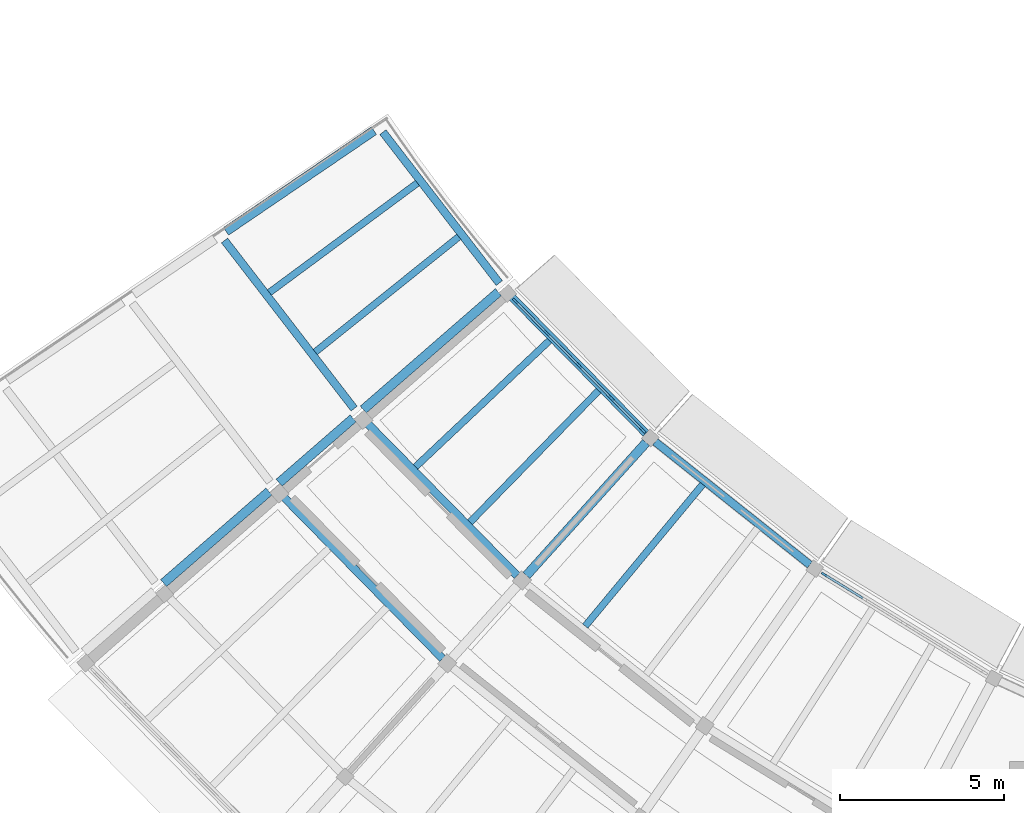
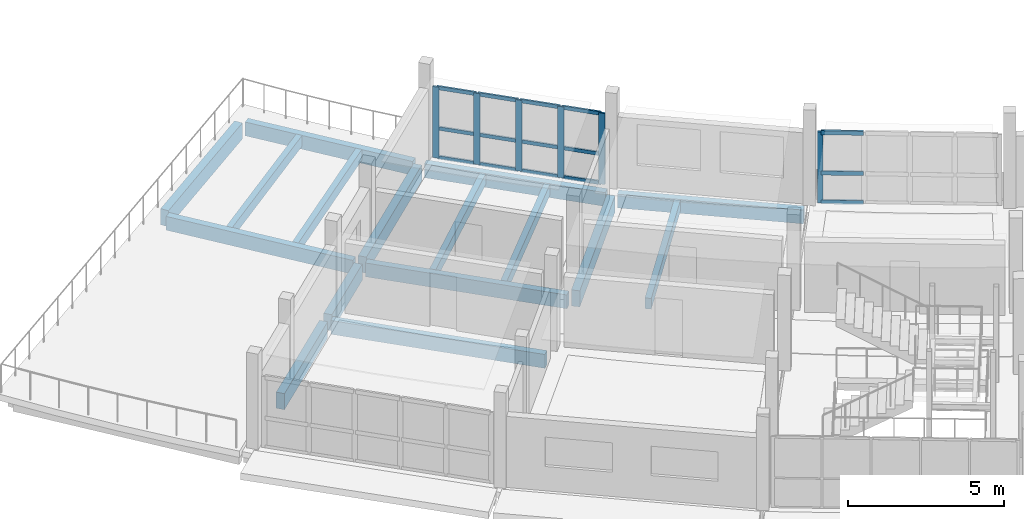
# One storey, part 20 of 66: 21 members, 16 beams, 2 elements without a shape of their own.
"""IFC4 building model written with IfcOpenShell, lengths in metres."""

from ifc_helpers import new_model, si_unit, direction, frame, origin, origin_2d, place, context, subcontext, project, spatial, rectangle, extrude, material, layer, layer_set, material_profile, profile_set, type_object, element, aggregate, save


model = new_model("IFC4")

# Units and contexts
model_context = context("Model", 3, precision=1e-05, world=origin(), true_north=direction((0.0, 1.0)))
body_context = subcontext(model_context, "Body", "Model", "MODEL_VIEW")
ifc_project = project(units=[si_unit("LENGTHUNIT", "METRE"), si_unit("AREAUNIT", "SQUARE_METRE"), si_unit("VOLUMEUNIT", "CUBIC_METRE"), si_unit("PLANEANGLEUNIT", "RADIAN"), si_unit("MASSUNIT", "GRAM", prefix="KILO")], contexts=[model_context])

# Site, building, storey
site_placement = place(None, origin())
site = spatial("IfcSite", under=ifc_project, at=site_placement, CompositionType="ELEMENT")
building_placement = place(site_placement, origin())
building = spatial("IfcBuilding", under=site, at=building_placement, Name="Caldaven Crescent School", CompositionType="ELEMENT")
storey_placement = place(building_placement, frame((0.0, 0.0, 8.159912109375)))
storey = spatial("IfcBuildingStorey", under=building, at=storey_placement, Name="L02", CompositionType="ELEMENT", Elevation=8.159912109375)

# Beams
ifc_material_1 = material(Name="Glulam MLE24h (GL28h)", Category="wood")
ifc_material_profile_1 = material_profile(ifc_material_1, rectangle(XDim=0.239990234375, YDim=0.5400390625, at=origin_2d()), Name="MLE 240x540")
ifc_profile_set_1 = profile_set([ifc_material_profile_1], Name="Glulam MLE24h (GL28h)")
beam_type_1 = type_object("IfcBeamType", Name="BM-GL54", PredefinedType="BEAM", material=ifc_profile_set_1)
beam_1_placement = place(storey_placement, frame((39.92626953125, 63.038818359375, -0.52001953125), z_axis=(0.610376182502, -0.792111681415, 0.0), x_axis=(0.792111681415, 0.610376182502, 0.0)))
element("IfcBeam", 1, at=beam_1_placement, inside=storey, type_object=beam_type_1, Name="BMT-V4W-L02-1160", PredefinedType="BEAM", context=body_context, shape_type="SweptSolid", body=[
    extrude(rectangle(XDim=0.239990234375, YDim=0.5400390625, at=origin_2d()), origin(), (0.0, 0.0, 1.0), 6.4697265625),
])
beam_2_placement = place(storey_placement, frame((44.14404296875, 57.60546875, -0.52001953125), z_axis=(0.700911097932, -0.713248647244, 0.0), x_axis=(0.713248647244, 0.700911097932, 0.0)))
element("IfcBeam", 2, at=beam_2_placement, inside=storey, type_object=beam_type_1, Name="BMT-V4W-L02-1169", PredefinedType="BEAM", context=body_context, shape_type="SweptSolid", body=[
    extrude(rectangle(XDim=0.239990234375, YDim=0.5400390625, at=origin_2d()), origin(), (0.0, 0.0, 1.0), 6.708251953125),
])
beam_3_placement = place(storey_placement, frame((41.578125, 55.375, -0.52001953125), z_axis=(0.700910785666, -0.713248954109, 0.0), x_axis=(0.713248954109, 0.700910785666, 0.0)))
element("IfcBeam", 3, at=beam_3_placement, inside=storey, type_object=beam_type_1, Name="BMT-V4W-L02-1170", PredefinedType="BEAM", context=body_context, shape_type="SweptSolid", body=[
    extrude(rectangle(XDim=0.239990234375, YDim=0.5400390625, at=origin_2d()), origin(), (0.0, 0.0, 1.0), 7.12353515625),
])
ifc_material_profile_2 = material_profile(ifc_material_1, rectangle(XDim=0.280029296875, YDim=0.6298828125, at=origin_2d()), Name="MLE 280x630")
ifc_profile_set_2 = profile_set([ifc_material_profile_2], Name="Glulam MLE24h (GL28h)")
beam_type_2 = type_object("IfcBeamType", Name="BM-GL63", PredefinedType="BEAM", material=ifc_profile_set_2)
beam_4_placement = place(storey_placement, frame((44.48046875, 66.385498046875, -0.56494140625), z_axis=(-0.826738322643, -0.562586656324, 0.0), x_axis=(0.562586656324, -0.826738322643, 0.0)))
element("IfcBeam", 4, at=beam_4_placement, inside=storey, type_object=beam_type_2, Name="BMR-V4W-L02-1135", PredefinedType="BEAM", context=body_context, shape_type="SweptSolid", body=[
    extrude(rectangle(XDim=0.280029296875, YDim=0.6298828125, at=origin_2d()), origin(), (0.0, 0.0, 1.0), 5.454833984375),
])
beam_5_placement = place(storey_placement, frame((48.27197265625, 61.465087890625, -0.56494140625), z_axis=(-0.754704755132, -0.656064579581, 0.0), x_axis=(0.656064579581, -0.754704755132, 0.0)))
element("IfcBeam", 5, at=beam_5_placement, inside=storey, type_object=beam_type_2, Name="BMR-V4W-L02-1139", PredefinedType="BEAM", context=body_context, shape_type="SweptSolid", body=[
    extrude(rectangle(XDim=0.280029296875, YDim=0.6298828125, at=origin_2d()), origin(), (0.0, 0.0, 1.0), 5.455078125),
])
beam_6_placement = place(storey_placement, frame((43.845703125, 57.6171875, -0.56494140625), z_axis=(-0.754742623795, -0.656021014775, 0.0), x_axis=(0.656021014775, -0.754742623795, 0.0)))
element("IfcBeam", 6, at=beam_6_placement, inside=storey, type_object=beam_type_2, Name="BMR-V4W-L02-1140", PredefinedType="BEAM", context=body_context, shape_type="SweptSolid", body=[
    extrude(rectangle(XDim=0.280029296875, YDim=0.6298828125, at=origin_2d()), origin(), (0.0, 0.0, 1.0), 2.989990234375),
])
beam_7_placement = place(storey_placement, frame((41.27978515625, 55.38671875, -0.56494140625), z_axis=(-0.754726561374, -0.6560394939, 0.0), x_axis=(0.6560394939, -0.754726561374, 0.0)))
element("IfcBeam", 7, at=beam_7_placement, inside=storey, type_object=beam_type_2, Name="BMR-V4W-L02-1141", PredefinedType="BEAM", context=body_context, shape_type="SweptSolid", body=[
    extrude(rectangle(XDim=0.280029296875, YDim=0.6298828125, at=origin_2d()), origin(), (0.0, 0.0, 1.0), 4.255126953125),
])
beam_8_placement = place(storey_placement, frame((52.77685546875, 56.880859375, -0.56494140625), z_axis=(-0.669100719019, -0.743171735071, 0.0), x_axis=(0.743171735071, -0.669100719019, 0.0)))
element("IfcBeam", 8, at=beam_8_placement, inside=storey, type_object=beam_type_2, Name="BMR-V4W-L02-1143", PredefinedType="BEAM", context=body_context, shape_type="SweptSolid", body=[
    extrude(rectangle(XDim=0.280029296875, YDim=0.6298828125, at=origin_2d()), origin(), (0.0, 0.0, 1.0), 5.454833984375),
])

# Curtain wall, member
ifc_material_2 = material(Name="Anodised aluminium AA 6063-T6 and low-E double glazing", Category="aluminium")
ifc_layer_1 = layer(ifc_material_2, 0.169921875)
ifc_layer_set_1 = layer_set([ifc_layer_1], Name="Anodised aluminium AA 6063-T6 and low-E double glazing")
curtain_wall_type_1 = type_object("IfcCurtainWallType", Name="CW-SYS1", PredefinedType="NOTDEFINED", material=ifc_layer_set_1)
curtain_wall_1_placement = place(storey_placement, origin())
curtain_wall_1 = element("IfcCurtainWall", 9, at=curtain_wall_1_placement, inside=storey, type_object=curtain_wall_type_1, Name="CW-L02-138", PredefinedType="NOTDEFINED")
ifc_material_3 = material(Name="Anodised aluminium AA 6063-T6", Category="aluminium")
ifc_material_profile_3 = material_profile(ifc_material_3, rectangle(XDim=0.06494140625, YDim=0.179931640625, at=origin_2d()), Name="CWM 65x180")
ifc_profile_set_3 = profile_set([ifc_material_profile_3], Name="Anodised aluminium AA 6063-T6")
member_type_1 = type_object("IfcMemberType", Name="CWM-T2", PredefinedType="MULLION", material=ifc_profile_set_3)
member_1_placement = place(storey_placement, frame((58.199462890625, 52.86181640625, 0.0), z_axis=(0.0, 0.0, 1.0), x_axis=(0.522499392879, 0.852639656854, 0.0)))
member_1 = element("IfcMember", 10, at=member_1_placement, type_object=member_type_1, Name="CW1 mullion 1", PredefinedType="MULLION", context=body_context, shape_type="SweptSolid", body=[
    extrude(rectangle(XDim=0.06494140625, YDim=0.179931640625, at=origin_2d()), origin(), (0.0, 0.0, 1.0), 2.780029296875),
])

# Curtain wall, members
ifc_layer_2 = layer(ifc_material_2, 0.2099609375)
ifc_layer_set_2 = layer_set([ifc_layer_2], Name="Anodised aluminium AA 6063-T6 and low-E double glazing")
curtain_wall_type_2 = type_object("IfcCurtainWallType", Name="CW-SYS3", PredefinedType="NOTDEFINED", material=ifc_layer_set_2)
curtain_wall_2_placement = place(storey_placement, origin())
curtain_wall_2 = element("IfcCurtainWall", 11, at=curtain_wall_2_placement, inside=storey, type_object=curtain_wall_type_2, Name="CW-L02-136", PredefinedType="NOTDEFINED")
ifc_material_profile_4 = material_profile(ifc_material_3, rectangle(XDim=0.070068359375, YDim=0.2099609375, at=origin_2d()), Name="CWM 70x210")
ifc_profile_set_4 = profile_set([ifc_material_profile_4], Name="Anodised aluminium AA 6063-T6")
member_type_2 = type_object("IfcMemberType", Name="CWM-T3", PredefinedType="MULLION", material=ifc_profile_set_4)
member_2_placement = place(storey_placement, frame((48.792236328125, 61.189208984375, 0.0), z_axis=(0.0, 0.0, 1.0), x_axis=(0.711812436873, 0.702369599793, 0.0)))
member_2 = element("IfcMember", 12, at=member_2_placement, type_object=member_type_2, Name="CW3 mullion 1", PredefinedType="MULLION", context=body_context, shape_type="SweptSolid", body=[
    extrude(rectangle(XDim=0.070068359375, YDim=0.2099609375, at=origin_2d()), origin(), (0.0, 0.0, 1.0), 2.780029296875),
])
member_3_placement = place(storey_placement, frame((49.7490234375, 60.219482421875, 0.0), z_axis=(0.0, 0.0, 1.0), x_axis=(0.711812436873, 0.702369599793, 0.0)))
member_3 = element("IfcMember", 13, at=member_3_placement, type_object=member_type_2, Name="CW3 mullion 2", PredefinedType="MULLION", context=body_context, shape_type="SweptSolid", body=[
    extrude(rectangle(XDim=0.070068359375, YDim=0.2099609375, at=origin_2d()), origin(), (0.0, 0.0, 1.0), 2.780029296875),
])
member_4_placement = place(storey_placement, frame((50.73046875, 59.224853515625, 0.0), z_axis=(0.0, 0.0, 1.0), x_axis=(0.711812436873, 0.702369599793, 0.0)))
member_4 = element("IfcMember", 14, at=member_4_placement, type_object=member_type_2, Name="CW3 mullion 3", PredefinedType="MULLION", context=body_context, shape_type="SweptSolid", body=[
    extrude(rectangle(XDim=0.070068359375, YDim=0.2099609375, at=origin_2d()), origin(), (0.0, 0.0, 1.0), 2.780029296875),
])
member_5_placement = place(storey_placement, frame((51.7119140625, 58.230224609375, 0.0), z_axis=(0.0, 0.0, 1.0), x_axis=(0.711812436873, 0.702369599793, 0.0)))
member_5 = element("IfcMember", 15, at=member_5_placement, type_object=member_type_2, Name="CW3 mullion 4", PredefinedType="MULLION", context=body_context, shape_type="SweptSolid", body=[
    extrude(rectangle(XDim=0.070068359375, YDim=0.2099609375, at=origin_2d()), origin(), (0.0, 0.0, 1.0), 2.780029296875),
])
member_6_placement = place(storey_placement, frame((52.668701171875, 57.260498046875, 0.0), z_axis=(0.0, 0.0, 1.0), x_axis=(0.711812436873, 0.702369599793, 0.0)))
member_6 = element("IfcMember", 16, at=member_6_placement, type_object=member_type_2, Name="CW3 mullion 5", PredefinedType="MULLION", context=body_context, shape_type="SweptSolid", body=[
    extrude(rectangle(XDim=0.070068359375, YDim=0.2099609375, at=origin_2d()), origin(), (0.0, 0.0, 1.0), 2.780029296875),
])
ifc_material_profile_5 = material_profile(ifc_material_3, rectangle(XDim=0.06494140625, YDim=0.139892578125, at=origin_2d()), Name="CWT 65x140")
ifc_profile_set_5 = profile_set([ifc_material_profile_5], Name="Anodised aluminium AA 6063-T6")
member_type_3 = type_object("IfcMemberType", Name="CWT-T2", PredefinedType="USERDEFINED", material=ifc_profile_set_5)
member_7_placement = place(storey_placement, frame((48.816650390625, 61.164306640625, 0.032470703125), z_axis=(0.702368253528, -0.711813765276, 0.0), x_axis=(0.711813765276, 0.702368253528, 0.0)))
member_7 = element("IfcMember", 17, at=member_7_placement, type_object=member_type_3, Name="CW3 transom 1.1", ObjectType="TRANSOM", PredefinedType="USERDEFINED", context=body_context, shape_type="SweptSolid", body=[
    extrude(rectangle(XDim=0.06494140625, YDim=0.139892578125, at=origin_2d()), origin(), (0.0, 0.0, 1.0), 1.29248046875),
])
member_8_placement = place(storey_placement, frame((48.816650390625, 61.164306640625, 1.16796875), z_axis=(0.702368253528, -0.711813765276, 0.0), x_axis=(0.711813765276, 0.702368253528, 0.0)))
member_8 = element("IfcMember", 18, at=member_8_placement, type_object=member_type_3, Name="CW3 transom 1.2", ObjectType="TRANSOM", PredefinedType="USERDEFINED", context=body_context, shape_type="SweptSolid", body=[
    extrude(rectangle(XDim=0.06494140625, YDim=0.139892578125, at=origin_2d()), origin(), (0.0, 0.0, 1.0), 1.29248046875),
])
member_9_placement = place(storey_placement, frame((48.816650390625, 61.164306640625, 2.74755859375), z_axis=(0.702368253528, -0.711813765276, 0.0), x_axis=(0.711813765276, 0.702368253528, 0.0)))
member_9 = element("IfcMember", 19, at=member_9_placement, type_object=member_type_3, Name="CW3 transom 1.3", ObjectType="TRANSOM", PredefinedType="USERDEFINED", context=body_context, shape_type="SweptSolid", body=[
    extrude(rectangle(XDim=0.06494140625, YDim=0.139892578125, at=origin_2d()), origin(), (0.0, 0.0, 1.0), 1.29248046875),
])
member_10_placement = place(storey_placement, frame((49.773681640625, 60.194580078125, 0.032470703125), z_axis=(0.702307996324, -0.711873217855, 0.0), x_axis=(0.711873217855, 0.702307996324, 0.0)))
member_10 = element("IfcMember", 20, at=member_10_placement, type_object=member_type_3, Name="CW3 transom 2.1", ObjectType="TRANSOM", PredefinedType="USERDEFINED", context=body_context, shape_type="SweptSolid", body=[
    extrude(rectangle(XDim=0.06494140625, YDim=0.139892578125, at=origin_2d()), origin(), (0.0, 0.0, 1.0), 1.3271484375),
])
member_11_placement = place(storey_placement, frame((49.773681640625, 60.194580078125, 1.16796875), z_axis=(0.702307996324, -0.711873217855, 0.0), x_axis=(0.711873217855, 0.702307996324, 0.0)))
member_11 = element("IfcMember", 21, at=member_11_placement, type_object=member_type_3, Name="CW3 transom 2.2", ObjectType="TRANSOM", PredefinedType="USERDEFINED", context=body_context, shape_type="SweptSolid", body=[
    extrude(rectangle(XDim=0.06494140625, YDim=0.139892578125, at=origin_2d()), origin(), (0.0, 0.0, 1.0), 1.3271484375),
])
member_12_placement = place(storey_placement, frame((49.773681640625, 60.194580078125, 2.74755859375), z_axis=(0.702307996324, -0.711873217855, 0.0), x_axis=(0.711873217855, 0.702307996324, 0.0)))
member_12 = element("IfcMember", 22, at=member_12_placement, type_object=member_type_3, Name="CW3 transom 2.3", ObjectType="TRANSOM", PredefinedType="USERDEFINED", context=body_context, shape_type="SweptSolid", body=[
    extrude(rectangle(XDim=0.06494140625, YDim=0.139892578125, at=origin_2d()), origin(), (0.0, 0.0, 1.0), 1.3271484375),
])
member_13_placement = place(storey_placement, frame((50.755126953125, 59.199951171875, 0.032470703125), z_axis=(0.702307996324, -0.711873217855, 0.0), x_axis=(0.711873217855, 0.702307996324, 0.0)))
member_13 = element("IfcMember", 23, at=member_13_placement, type_object=member_type_3, Name="CW3 transom 3.1", ObjectType="TRANSOM", PredefinedType="USERDEFINED", context=body_context, shape_type="SweptSolid", body=[
    extrude(rectangle(XDim=0.06494140625, YDim=0.139892578125, at=origin_2d()), origin(), (0.0, 0.0, 1.0), 1.3271484375),
])
member_14_placement = place(storey_placement, frame((50.755126953125, 59.199951171875, 1.16796875), z_axis=(0.702307996324, -0.711873217855, 0.0), x_axis=(0.711873217855, 0.702307996324, 0.0)))
member_14 = element("IfcMember", 24, at=member_14_placement, type_object=member_type_3, Name="CW3 transom 3.2", ObjectType="TRANSOM", PredefinedType="USERDEFINED", context=body_context, shape_type="SweptSolid", body=[
    extrude(rectangle(XDim=0.06494140625, YDim=0.139892578125, at=origin_2d()), origin(), (0.0, 0.0, 1.0), 1.3271484375),
])
member_15_placement = place(storey_placement, frame((50.755126953125, 59.199951171875, 2.74755859375), z_axis=(0.702307996324, -0.711873217855, 0.0), x_axis=(0.711873217855, 0.702307996324, 0.0)))
member_15 = element("IfcMember", 25, at=member_15_placement, type_object=member_type_3, Name="CW3 transom 3.3", ObjectType="TRANSOM", PredefinedType="USERDEFINED", context=body_context, shape_type="SweptSolid", body=[
    extrude(rectangle(XDim=0.06494140625, YDim=0.139892578125, at=origin_2d()), origin(), (0.0, 0.0, 1.0), 1.3271484375),
])
member_16_placement = place(storey_placement, frame((51.736572265625, 58.205322265625, 0.032470703125), z_axis=(0.702368253528, -0.711813765276, 0.0), x_axis=(0.711813765276, 0.702368253528, 0.0)))
member_16 = element("IfcMember", 26, at=member_16_placement, type_object=member_type_3, Name="CW3 transom 4.1", ObjectType="TRANSOM", PredefinedType="USERDEFINED", context=body_context, shape_type="SweptSolid", body=[
    extrude(rectangle(XDim=0.06494140625, YDim=0.139892578125, at=origin_2d()), origin(), (0.0, 0.0, 1.0), 1.29248046875),
])
member_17_placement = place(storey_placement, frame((51.736572265625, 58.205322265625, 1.16796875), z_axis=(0.702368253528, -0.711813765276, 0.0), x_axis=(0.711813765276, 0.702368253528, 0.0)))
member_17 = element("IfcMember", 27, at=member_17_placement, type_object=member_type_3, Name="CW3 transom 4.2", ObjectType="TRANSOM", PredefinedType="USERDEFINED", context=body_context, shape_type="SweptSolid", body=[
    extrude(rectangle(XDim=0.06494140625, YDim=0.139892578125, at=origin_2d()), origin(), (0.0, 0.0, 1.0), 1.29248046875),
])
member_18_placement = place(storey_placement, frame((51.736572265625, 58.205322265625, 2.74755859375), z_axis=(0.702368253528, -0.711813765276, 0.0), x_axis=(0.711813765276, 0.702368253528, 0.0)))
member_18 = element("IfcMember", 28, at=member_18_placement, type_object=member_type_3, Name="CW3 transom 4.3", ObjectType="TRANSOM", PredefinedType="USERDEFINED", context=body_context, shape_type="SweptSolid", body=[
    extrude(rectangle(XDim=0.06494140625, YDim=0.139892578125, at=origin_2d()), origin(), (0.0, 0.0, 1.0), 1.29248046875),
])
aggregate(curtain_wall_2, [member_2, member_3, member_4, member_5, member_6, member_7, member_8, member_9, member_10, member_11, member_12, member_13, member_14, member_15, member_16, member_17, member_18])

# Member
ifc_material_profile_6 = material_profile(ifc_material_3, rectangle(XDim=0.070068359375, YDim=0.159912109375, at=origin_2d()), Name="CWT 70x160")
ifc_profile_set_6 = profile_set([ifc_material_profile_6], Name="Anodised aluminium AA 6063-T6")
member_type_4 = type_object("IfcMemberType", Name="CWT-T3", PredefinedType="USERDEFINED", material=ifc_profile_set_6)
member_19_placement = place(storey_placement, frame((58.22705078125, 52.8447265625, 0.03515625), z_axis=(0.852616806019, -0.522536680143, 0.0), x_axis=(0.522536680143, 0.852616806019, 0.0)))
member_19 = element("IfcMember", 29, at=member_19_placement, type_object=member_type_4, Name="CW1 transom 1.1", ObjectType="TRANSOM", PredefinedType="USERDEFINED", context=body_context, shape_type="SweptSolid", body=[
    extrude(rectangle(XDim=0.070068359375, YDim=0.159912109375, at=origin_2d()), origin(), (0.0, 0.0, 1.0), 1.353515625),
])

member_20_placement = place(storey_placement, frame((58.22705078125, 52.8447265625, 1.16796875), z_axis=(0.852616806019, -0.522536680143, 0.0), x_axis=(0.522536680143, 0.852616806019, 0.0)))
member_20 = element("IfcMember", 30, at=member_20_placement, type_object=member_type_4, Name="CW1 transom 1.2", ObjectType="TRANSOM", PredefinedType="USERDEFINED", context=body_context, shape_type="SweptSolid", body=[
    extrude(rectangle(XDim=0.070068359375, YDim=0.159912109375, at=origin_2d()), origin(), (0.0, 0.0, 1.0), 1.353515625),
])

member_21_placement = place(storey_placement, frame((58.22705078125, 52.8447265625, 2.7451171875), z_axis=(0.852616806019, -0.522536680143, 0.0), x_axis=(0.522536680143, 0.852616806019, 0.0)))
member_21 = element("IfcMember", 31, at=member_21_placement, type_object=member_type_4, Name="CW1 transom 1.3", ObjectType="TRANSOM", PredefinedType="USERDEFINED", context=body_context, shape_type="SweptSolid", body=[
    extrude(rectangle(XDim=0.070068359375, YDim=0.159912109375, at=origin_2d()), origin(), (0.0, 0.0, 1.0), 1.353515625),
])

aggregate(curtain_wall_1, [member_1, member_19, member_20, member_21])

# Beams
ifc_material_profile_7 = material_profile(ifc_material_1, rectangle(XDim=0.2099609375, YDim=0.419921875, at=origin_2d()), Name="MLE 210x420")
ifc_profile_set_7 = profile_set([ifc_material_profile_7], Name="Glulam MLE24h (GL28h)")
beam_type_3 = type_object("IfcBeamType", Name="JS-GL42", PredefinedType="JOIST", material=ifc_profile_set_7)
for number, where, z_axis, x_axis, name in (
    (32, (45.804443359375, 64.789794921875, -0.4599609375), (-0.803966298861, -0.594674860991, 0.0), (0.594674860991, -0.803966298861, 0.0), "JSR-V4W-L02-1164"),
    (33, (47.06640625, 63.15185546875, -0.4599609375), (-0.779916998743, -0.625882956367, 0.0), (0.625882956367, -0.779916998743, 0.0), "JSR-V4W-L02-1166"),
):
    element("IfcBeam", number, at=place(storey_placement, frame(where, z_axis=z_axis, x_axis=x_axis)), inside=storey, type_object=beam_type_3, Name=name, PredefinedType="JOIST", context=body_context, shape_type="SweptSolid", body=[
        extrude(rectangle(XDim=0.2099609375, YDim=0.419921875, at=origin_2d()), origin(), (0.0, 0.0, 1.0), 5.61083984375),
    ])
for number, where, z_axis, x_axis, name in (
    (34, (49.828125, 59.98828125, -0.4599609375), (-0.727411275008, -0.686201746566, 0.0), (0.686201746566, -0.727411275008, 0.0), "JSR-V4W-L02-1173"),
    (35, (51.32763671875, 58.46240234375, -0.4599609375), (-0.698812543593, -0.715304850338, 0.0), (0.715304850338, -0.698812543593, 0.0), "JSR-V4W-L02-1175"),
    (36, (54.501220703125, 55.604736328125, -0.4599609375), (-0.638337756262, -0.769756395836, 0.0), (0.769756395836, -0.638337756262, 0.0), "JSR-V4W-L02-1182"),
):
    element("IfcBeam", number, at=place(storey_placement, frame(where, z_axis=z_axis, x_axis=x_axis)), inside=storey, type_object=beam_type_3, Name=name, PredefinedType="JOIST", context=body_context, shape_type="SweptSolid", body=[
        extrude(rectangle(XDim=0.2099609375, YDim=0.419921875, at=origin_2d()), origin(), (0.0, 0.0, 1.0), 5.6103515625),
    ])
ifc_material_profile_8 = material_profile(ifc_material_1, rectangle(XDim=0.239990234375, YDim=0.5400390625, at=origin_2d()), Name="MLE 240x540")
ifc_profile_set_8 = profile_set([ifc_material_profile_8], Name="Glulam MLE24h (GL28h)")
beam_type_4 = type_object("IfcBeamType", Name="SP-GL54", PredefinedType="SPANDREL", material=ifc_profile_set_8)
beam_9_placement = place(storey_placement, frame((44.75341796875, 66.341796875, -0.52001953125), z_axis=(0.610411197454, -0.792084698768, 0.0), x_axis=(0.792084698768, 0.610411197454, 0.0)))
element("IfcBeam", 37, at=beam_9_placement, inside=storey, type_object=beam_type_4, Name="BMT-V4W-L02-1159", PredefinedType="SPANDREL", context=body_context, shape_type="SweptSolid", body=[
    extrude(rectangle(XDim=0.239990234375, YDim=0.5400390625, at=origin_2d()), origin(), (0.0, 0.0, 1.0), 5.809326171875),
])
for number, where, z_axis, x_axis, name in (
    (38, (48.548583984375, 61.4541015625, -0.52001953125), (0.700919796912, -0.713240098632, 0.0), (0.713240098632, 0.700919796912, 0.0), "BMT-V4W-L02-1168"),
    (39, (53.052734375, 56.90380859375, -0.52001953125), (0.782621246861, -0.622498179886, 0.0), (0.622498179886, 0.782621246861, 0.0), "BMT-V4W-L02-1177"),
):
    element("IfcBeam", number, at=place(storey_placement, frame(where, z_axis=z_axis, x_axis=x_axis)), inside=storey, type_object=beam_type_4, Name=name, PredefinedType="SPANDREL", context=body_context, shape_type="SweptSolid", body=[
        extrude(rectangle(XDim=0.239990234375, YDim=0.5400390625, at=origin_2d()), origin(), (0.0, 0.0, 1.0), 6.024169921875),
    ])

save(model, "model.ifc")
